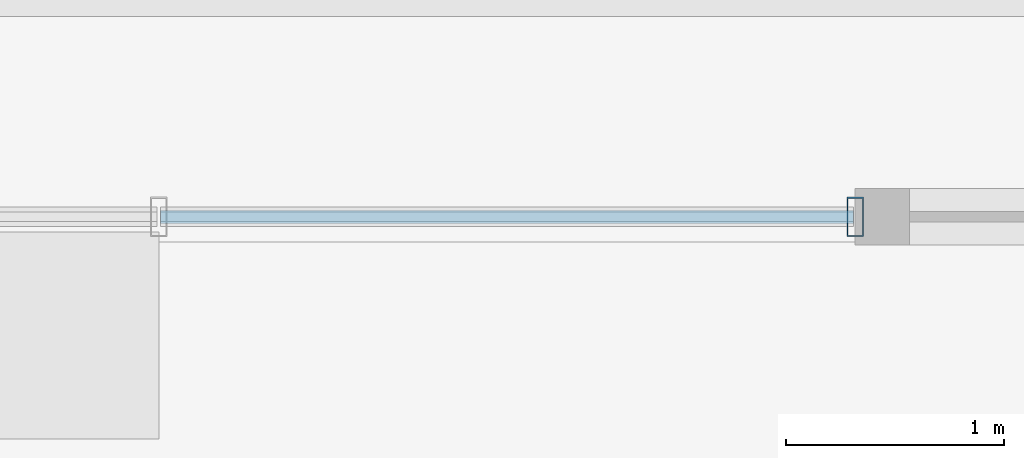
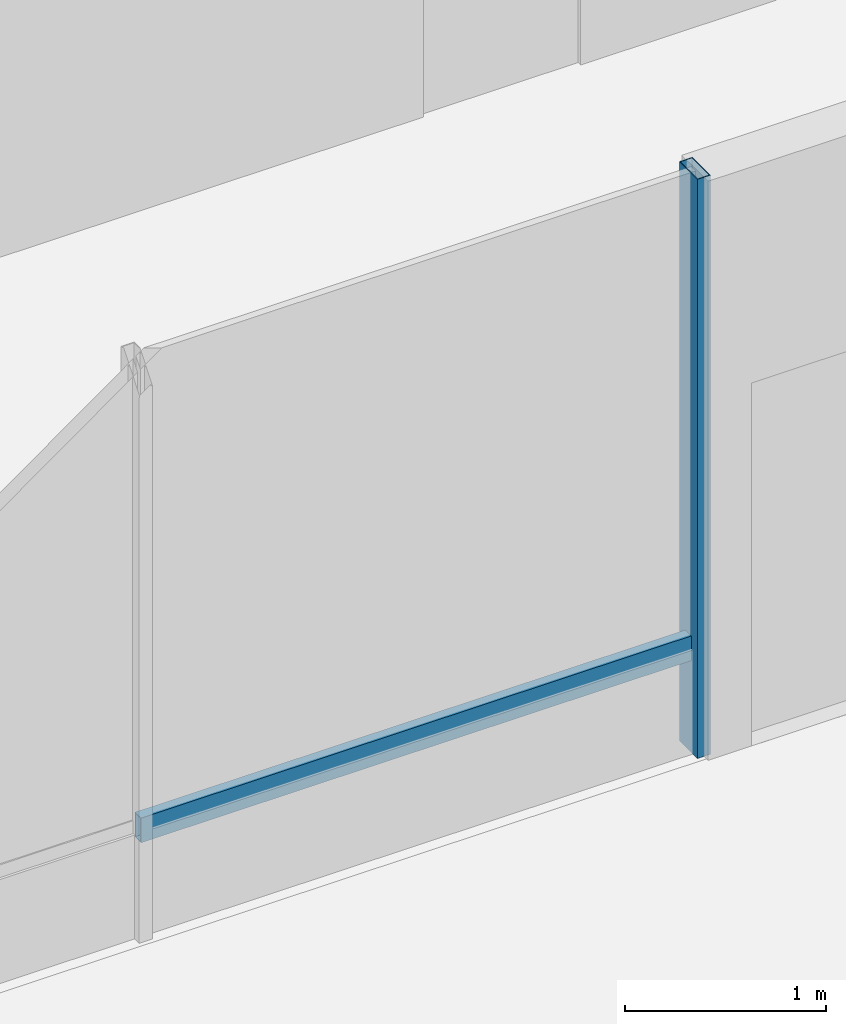
# One storey, part 4 of 20: 2 members, 1 element without a shape of its own.
"""IFC4 building model written with IfcOpenShell, lengths in metres."""

from ifc_helpers import new_model, si_unit, direction, frame, origin, origin_2d, place, context, subcontext, project, spatial, hollow_rectangle, extrude, material, layer, layer_set, material_profile, profile_set, type_object, element, aggregate, save


model = new_model("IFC4")

# Units and contexts
model_context = context("Model", 3, precision=1e-05, world=origin(), true_north=direction((0.0, 1.0)))
body_context = subcontext(model_context, "Body", "Model", "MODEL_VIEW")
ifc_project = project(units=[si_unit("LENGTHUNIT", "METRE"), si_unit("AREAUNIT", "SQUARE_METRE"), si_unit("VOLUMEUNIT", "CUBIC_METRE"), si_unit("PLANEANGLEUNIT", "RADIAN"), si_unit("MASSUNIT", "GRAM", prefix="KILO")], contexts=[model_context])

# Site, building, storey
site_placement = place(None, origin())
site = spatial("IfcSite", under=ifc_project, at=site_placement, CompositionType="ELEMENT")
building_placement = place(site_placement, origin())
building = spatial("IfcBuilding", under=site, at=building_placement, Name="Belovzor Exchange Tower", CompositionType="ELEMENT")
storey_placement = place(building_placement, frame((0.0, 0.0, 306.75)))
storey = spatial("IfcBuildingStorey", under=building, at=storey_placement, Name="L76", CompositionType="ELEMENT", Elevation=306.75)

# Curtain wall, members
ifc_material_1 = material(Name="Anodised Aluminium Framing", Category="aluminium")
ifc_layer = layer(ifc_material_1, 0.179931640625)
ifc_layer_set = layer_set([ifc_layer], Name="Anodised Aluminium Framing")
curtain_wall_type = type_object("IfcCurtainWallType", Name="Recessed Loggia Low-Iron Triple-Glazed Curtain Wall", PredefinedType="NOTDEFINED", material=ifc_layer_set)
curtain_wall_placement = place(storey_placement, origin())
curtain_wall = element("IfcCurtainWall", 1, at=curtain_wall_placement, inside=storey, type_object=curtain_wall_type, Name="CW3 Recessed Loggia Low-Iron Triple-Glazed Curtain Wall L76", PredefinedType="NOTDEFINED")
ifc_material_2 = material(Name="Steel S355", Category="steel")
ifc_material_profile_1 = material_profile(ifc_material_2, hollow_rectangle(XDim=0.074951171875, YDim=0.179931640625, WallThickness=0.0048828125, at=origin_2d()))
ifc_profile_set_1 = profile_set([ifc_material_profile_1], Name="Steel S355")
member_type_1 = type_object("IfcMemberType", Name="Thermally Broken Curtain Wall Mullion 180x75", PredefinedType="MULLION", material=ifc_profile_set_1)
member_1_placement = place(storey_placement, frame((33.60009765625, 6.1298828125, 0.0), z_axis=(0.0, 0.0, 1.0), x_axis=(-1.0, 0.0, 0.0)))
member_1 = element("IfcMember", 2, at=member_1_placement, type_object=member_type_1, Name="CW-M180 Curtain Wall Mullion 1", PredefinedType="MULLION", context=body_context, shape_type="SweptSolid", body=[
    extrude(hollow_rectangle(XDim=0.074951171875, YDim=0.179931640625, WallThickness=0.0048828125, at=origin_2d()), origin(), (0.0, 0.0, 1.0), 3.510009765625),
])
ifc_material_3 = material(Name="Steel S355", Category="steel")
ifc_material_profile_2 = material_profile(ifc_material_3, hollow_rectangle(XDim=0.06005859375, YDim=0.14990234375, WallThickness=0.00390625, at=origin_2d()))
ifc_profile_set_2 = profile_set([ifc_material_profile_2], Name="Steel S355")
member_type_2 = type_object("IfcMemberType", Name="Thermally Broken Curtain Wall Transom 150x60", PredefinedType="USERDEFINED", material=ifc_profile_set_2)
member_2_placement = place(storey_placement, frame((33.592041015625, 6.1298828125, 0.632080078125), z_axis=(-1.0, 0.0, 0.0), x_axis=(0.0, -1.0, 0.0)))
member_2 = element("IfcMember", 3, at=member_2_placement, type_object=member_type_2, Name="CW-T150 Curtain Wall Transom 1", ObjectType="TRANSOM", PredefinedType="USERDEFINED", context=body_context, shape_type="SweptSolid", body=[
    extrude(hollow_rectangle(XDim=0.06005859375, YDim=0.14990234375, WallThickness=0.00390625, at=origin_2d()), origin(), (0.0, 0.0, 1.0), 3.18408203125),
])
aggregate(curtain_wall, [member_1, member_2])

save(model, "model.ifc")
